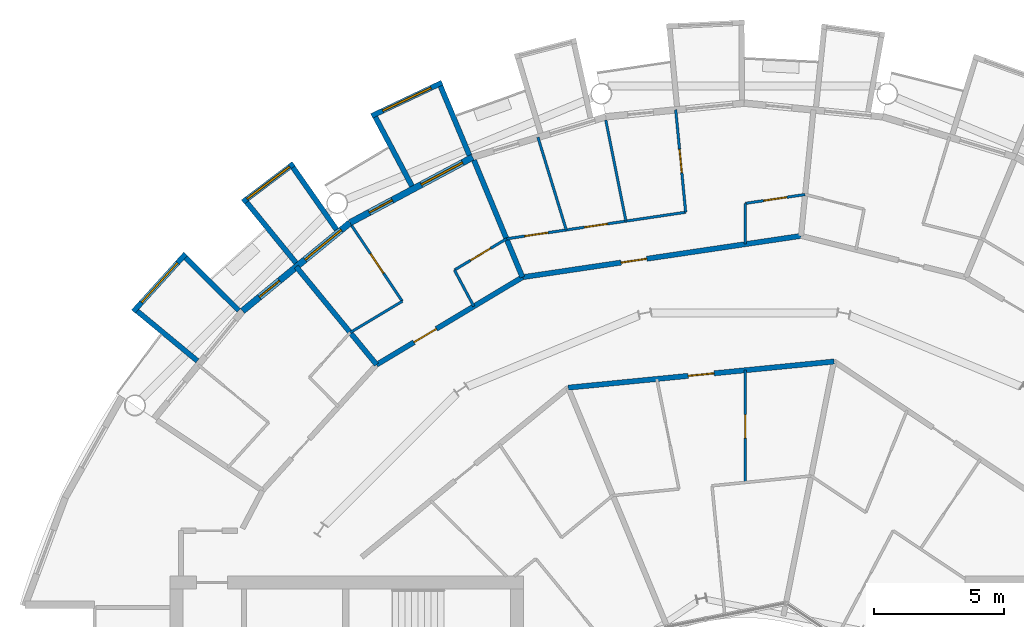
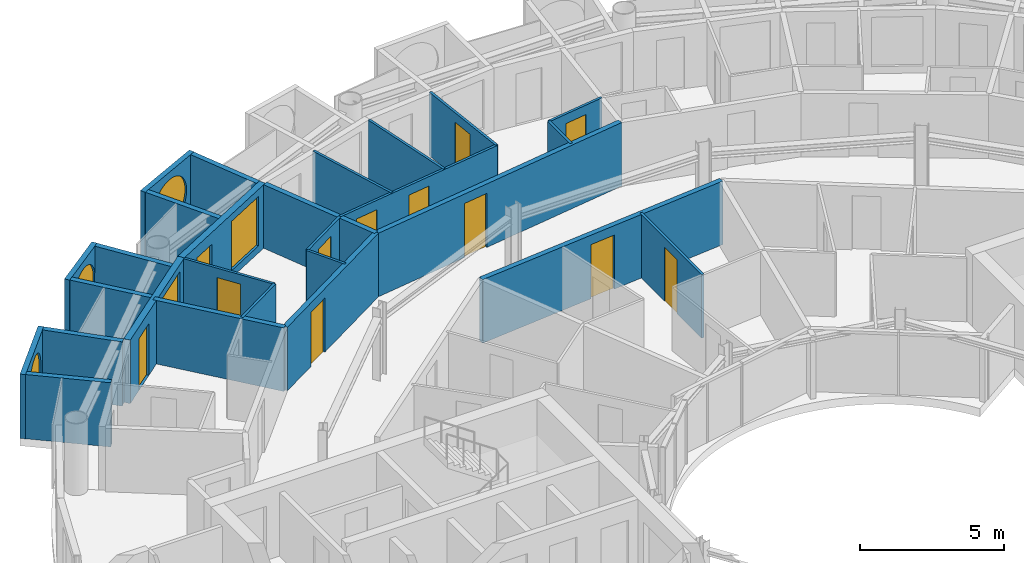
# One storey, part 20 of 27: 27 walls, 12 doors, 5 windows, 17 openings.
"""IFC4 building model written with IfcOpenShell, lengths in metres."""

import ifcopenshell
import ifcopenshell.guid

model = None  # the IFC model being written
_history = None  # IfcOwnerHistory: only IFC2X3 demands one
_inside = {}  # id of a spatial element -> (the spatial element, [elements in it])
_under = {}  # id of a project, library or spatial element -> (it, [spatial elements below it])
_declared = {}  # id of a project -> (the project, [libraries it declares])
_typed = {}  # id of a type object -> (the type object, [elements of that type])
_made_of = {}  # id of a material, layer set ... -> (it, [elements and type objects made of it])


def new_model(schema):
    """Start an empty IFC model of exactly this schema.

    Asked for "IFC4X3", IfcOpenShell would pick the latest addendum, in which some entities
    have other attributes; the version numbers below select the first issue.
    IFC2X3 requires an IfcOwnerHistory on every rooted entity: one is made here for all.
    """
    global model, _history
    if schema == "IFC4X3":
        model = ifcopenshell.file(schema_version=(4, 3, 0, 0))
    else:
        model = ifcopenshell.file(schema=schema)
    _inside.clear()
    _under.clear()
    _declared.clear()
    _typed.clear()
    _made_of.clear()
    _history = None
    if model.schema == "IFC2X3":
        org = make("IfcOrganization", Name="unknown")
        user = make(
            "IfcPersonAndOrganization",
            ThePerson=make("IfcPerson", FamilyName="unknown"),
            TheOrganization=org,
        )
        app = make(
            "IfcApplication",
            ApplicationDeveloper=org,
            Version="unknown",
            ApplicationFullName="unknown",
            ApplicationIdentifier="unknown",
        )
        _history = make(
            "IfcOwnerHistory",
            OwningUser=user,
            OwningApplication=app,
            ChangeAction="ADDED",
            CreationDate=0,
        )
    return model


def make(cls, **values):
    """One entity of the class cls with the attributes given. An attribute that is None is left unset."""
    return model.create_entity(
        cls, **{name: value for name, value in values.items() if value is not None}
    )


def rooted(cls, **values):
    """An entity with a GlobalId (a new one), such as an element, a storey or a relation."""
    return make(cls, GlobalId=ifcopenshell.guid.new(), OwnerHistory=_history, **values)


def si_unit(unit_type, name, prefix=None):
    """IfcSIUnit, for example si_unit("LENGTHUNIT", "METRE", prefix="MILLI")."""
    return make("IfcSIUnit", UnitType=unit_type, Prefix=prefix, Name=name)


def assignment(units):
    """IfcUnitAssignment: the units of a project."""
    return None if units is None else make("IfcUnitAssignment", Units=units)


def point(xyz):
    """IfcCartesianPoint."""
    return None if xyz is None else make("IfcCartesianPoint", Coordinates=xyz)


def direction(xyz):
    """IfcDirection."""
    return None if xyz is None else make("IfcDirection", DirectionRatios=xyz)


def frame(location, z_axis=None, x_axis=None):
    """IfcAxis2Placement3D, a coordinate frame: its origin and axes. An axis left out is left unset."""
    return make(
        "IfcAxis2Placement3D",
        Location=point(location),
        Axis=direction(z_axis),
        RefDirection=direction(x_axis),
    )


def frame_2d(location, x_axis=None):
    """IfcAxis2Placement2D, a coordinate frame in the plane: its origin and x axis."""
    return make(
        "IfcAxis2Placement2D", Location=point(location), RefDirection=direction(x_axis)
    )


def origin():
    """The frame at (0, 0, 0) with its axes left unset."""
    return frame((0.0, 0.0, 0.0))


def place(relative_to, where):
    """IfcLocalPlacement: puts the frame where relative to a parent placement (None: the world)."""
    return make(
        "IfcLocalPlacement", PlacementRelTo=relative_to, RelativePlacement=where
    )


def context(
    kind, dimensions, precision=None, world=None, true_north=None, identifier=None
):
    """IfcGeometricRepresentationContext, for example the 3D "Model" context."""
    return make(
        "IfcGeometricRepresentationContext",
        ContextIdentifier=identifier,
        ContextType=kind,
        CoordinateSpaceDimension=dimensions,
        Precision=precision,
        WorldCoordinateSystem=world,
        TrueNorth=true_north,
    )


def subcontext(parent, identifier, kind, view, scale=None):
    """IfcGeometricRepresentationSubContext, for example "Body" below "Model"."""
    return make(
        "IfcGeometricRepresentationSubContext",
        ContextIdentifier=identifier,
        ContextType=kind,
        ParentContext=parent,
        TargetScale=scale,
        TargetView=view,
    )


def project(units=None, contexts=None):
    """IfcProject with its units and contexts."""
    return rooted(
        "IfcProject",
        Name="project",
        RepresentationContexts=contexts,
        UnitsInContext=assignment(units),
    )


def spatial(cls, under=None, at=None, **own):
    """A site, building, storey or space (cls), placed at a placement, below another one or the project."""
    s = rooted(cls, ObjectPlacement=at, **own)
    if under is not None:
        _under.setdefault(under.id(), (under, []))[1].append(s)
    return s


def profile(cls, at=None, kind="AREA", **sizes):
    """A parametric profile (cls). Its sizes go by their IFC names, for example OverallWidth=200.0."""
    return make(cls, ProfileType=kind, Position=at, **sizes)


def rectangle(**sizes):
    """IfcRectangleProfileDef."""
    return profile("IfcRectangleProfileDef", **sizes)


def circle(**sizes):
    """IfcCircleProfileDef."""
    return profile("IfcCircleProfileDef", **sizes)


def extrude(swept, where, along, depth):
    """IfcExtrudedAreaSolid: the profile swept, set in the frame where, extruded along a direction by depth."""
    return make(
        "IfcExtrudedAreaSolid",
        SweptArea=swept,
        Position=where,
        ExtrudedDirection=direction(along),
        Depth=depth,
    )


def shape(context_of_items, identifier, shape_type, items):
    """IfcShapeRepresentation: the items that make up one representation, for example the "Body"."""
    return make(
        "IfcShapeRepresentation",
        ContextOfItems=context_of_items,
        RepresentationIdentifier=identifier,
        RepresentationType=shape_type,
        Items=items,
    )


def material(Name=None, Category=None):
    """IfcMaterial."""
    return make("IfcMaterial", Name=Name, Category=Category)


def layer(
    of_material, thickness, ventilated=None, Name=None, Category=None, Priority=None
):
    """IfcMaterialLayer: one layer of a wall or slab, of a material (None: an air gap)."""
    return make(
        "IfcMaterialLayer",
        Material=of_material,
        LayerThickness=thickness,
        IsVentilated=ventilated,
        Name=Name,
        Category=Category,
        Priority=Priority,
    )


def layer_set(layers, Name=None):
    """IfcMaterialLayerSet."""
    return make("IfcMaterialLayerSet", MaterialLayers=layers, LayerSetName=Name)


def made_of(thing, what):
    """Note that an element or type object is made of a material, layer set ...; save() writes the relation."""
    if what is not None:
        _made_of.setdefault(what.id(), (what, []))[1].append(thing)
    return thing


def type_object(cls, material=None, **own):
    """A type object (cls), such as IfcWallType, which elements share."""
    return made_of(rooted(cls, **own), material)


def element(
    cls,
    number,
    at=None,
    inside=None,
    cuts=None,
    type_object=None,
    material=None,
    context=None,
    identifier="Body",
    shape_type=None,
    held_by="IfcProductDefinitionShape",
    body=None,
    shapes=None,
    **own,
):
    """One element of the class cls, such as IfcWall. Its Tag is "e" and its number.

    at: its placement. inside: the storey or other place that contains it. cuts: it is an
    opening in that element (IfcRelVoidsElement). A single representation is given by context,
    identifier, shape_type and body (its items); several are given by shapes. held_by: the class
    of the entity that holds the representations. save() writes the other relations.
    """
    e = rooted(cls, Tag="e%d" % number, ObjectPlacement=at, **own)
    if body is not None:
        shapes = [shape(context, identifier, shape_type, body)]
    if shapes is not None:
        e.Representation = make(held_by, Representations=shapes)
    if inside is not None:
        _inside.setdefault(inside.id(), (inside, []))[1].append(e)
    if cuts is not None:
        rooted(
            "IfcRelVoidsElement", RelatingBuildingElement=cuts, RelatedOpeningElement=e
        )
    if type_object is not None:
        _typed.setdefault(type_object.id(), (type_object, []))[1].append(e)
    return made_of(e, material)


def fill(opening, filler):
    """IfcRelFillsElement: the door or window that sits in an opening."""
    return rooted(
        "IfcRelFillsElement",
        RelatingOpeningElement=opening,
        RelatedBuildingElement=filler,
    )


def aggregate(whole, parts):
    """IfcRelAggregates: a whole, such as a stair, and the parts it consists of."""
    return rooted("IfcRelAggregates", RelatingObject=whole, RelatedObjects=parts)


def save(model, path):
    """Write the relations noted so far, then the file.

    IfcRelAggregates (storeys below a building ...), IfcRelContainedInSpatialStructure (elements
    in a storey), IfcRelDefinesByType, IfcRelAssociatesMaterial and IfcRelDeclares: one each for
    every whole, place, type object, material and project.
    """
    for whole, parts in _under.values():
        aggregate(whole, parts)
    for where, things in _inside.values():
        rooted(
            "IfcRelContainedInSpatialStructure",
            RelatedElements=things,
            RelatingStructure=where,
        )
    for kind, things in _typed.values():
        rooted("IfcRelDefinesByType", RelatedObjects=things, RelatingType=kind)
    for what, things in _made_of.values():
        rooted("IfcRelAssociatesMaterial", RelatedObjects=things, RelatingMaterial=what)
    for by, libraries in _declared.values():
        rooted("IfcRelDeclares", RelatingContext=by, RelatedDefinitions=libraries)
    model.write(path)


model = new_model("IFC4")

# Units and contexts
model_context = context("Model", 3, precision=1e-05, world=origin(), true_north=direction((0.0, 1.0)))
body_context = subcontext(model_context, "Body", "Model", "MODEL_VIEW")
ifc_project = project(units=[si_unit("LENGTHUNIT", "METRE"), si_unit("AREAUNIT", "SQUARE_METRE"), si_unit("VOLUMEUNIT", "CUBIC_METRE"), si_unit("PLANEANGLEUNIT", "RADIAN"), si_unit("MASSUNIT", "GRAM", prefix="KILO")], contexts=[model_context])

# Site, building, storey
site_placement = place(None, origin())
site = spatial("IfcSite", under=ifc_project, at=site_placement, CompositionType="ELEMENT")
building_placement = place(site_placement, origin())
building = spatial("IfcBuilding", under=site, at=building_placement, Name="Maasbend Ring Residences", CompositionType="ELEMENT")
storey_placement = place(building_placement, frame((0.0, 0.0, 148.25)))
storey = spatial("IfcBuildingStorey", under=building, at=storey_placement, Name="L42", CompositionType="ELEMENT", Elevation=148.25)

# Wall, opening, door
ifc_material_1 = material(Name="Concrete C30/37", Category="concrete")
ifc_layer_1 = layer(ifc_material_1, 0.199951171875)
ifc_layer_set_1 = layer_set([ifc_layer_1], Name="Concrete C30/37")
wall_type_1 = type_object("IfcWallType", Name="CORRIDOR WALL 200 CONCRETE", PredefinedType="PARTITIONING", material=ifc_layer_set_1)
wall_1_placement = place(storey_placement, frame((-6.77294921875, 16.35302734375, 0.0), z_axis=(0.0, 0.0, 1.0), x_axis=(0.995201809366, 0.097843541607, 0.0)))
wall_1 = element("IfcWall", 1, at=wall_1_placement, inside=storey, type_object=wall_type_1, Name="U-L42-w096", PredefinedType="PARTITIONING", context=body_context, shape_type="SweptSolid", body=[
    extrude(rectangle(XDim=10.2802734375, YDim=0.199951171875, at=frame_2d((5.14013671875, 0.0))), origin(), (0.0, 0.0, 1.0), 2.699951171875),
])
opening_1_placement = place(wall_1_placement, frame((4.637939453125, 0.0, 0.0)))
opening_1 = element("IfcOpeningElement", 2, at=opening_1_placement, cuts=wall_1, Name="Opening D-4225", PredefinedType="OPENING", context=body_context, shape_type="SweptSolid", body=[
    extrude(rectangle(XDim=1.0, YDim=2.300048828125, at=frame_2d((0.5, 1.14990234375))), frame((0.0, 0.10986328125, 0.0), z_axis=(0.0, -1.0, 0.0), x_axis=(1.0, 0.0, 0.0)), (0.0, 0.0, 1.0), 0.219970703125),
])
ifc_material_2 = material(Name="Timber, fire-rated, painted", Category="wood")
door_type_1 = type_object("IfcDoorType", Name="FLAT ENTRANCE DOOR 1000 X 2300 FIRE-RATED", OperationType="NOTDEFINED", PredefinedType="DOOR", material=ifc_material_2)
door_1_placement = place(opening_1_placement, origin())
door_1 = element("IfcDoor", 3, at=door_1_placement, inside=storey, type_object=door_type_1, Name="D-4225", OperationType="SINGLE_SWING_LEFT", OverallHeight=2.300048828125, OverallWidth=1.0, PredefinedType="DOOR", context=body_context, shape_type="SweptSolid", body=[
    extrude(rectangle(XDim=1.0, YDim=2.300048828125, at=frame_2d((0.5, 1.14990234375))), frame((0.0, 0.02490234375, 0.0), z_axis=(0.0, -1.0, 0.0), x_axis=(1.0, 0.0, 0.0)), (0.0, 0.0, 1.0), 0.050048828125),
])
fill(opening_1, door_1)

wall_2_placement = place(storey_placement, frame((-8.533935546875, 20.60302734375, 0.0), z_axis=(0.0, 0.0, 1.0), x_axis=(0.989177441421, 0.146724194948, 0.0)))
wall_2 = element("IfcWall", 4, at=wall_2_placement, inside=storey, type_object=wall_type_1, Name="U-L42-w097", PredefinedType="PARTITIONING", context=body_context, shape_type="SweptSolid", body=[
    extrude(rectangle(XDim=10.837158203125, YDim=0.199951171875, at=frame_2d((5.41845703125, 0.0))), origin(), (0.0, 0.0, 1.0), 2.699951171875),
])
opening_2_placement = place(wall_2_placement, frame((3.8349609375, 0.0, 0.0)))
opening_2 = element("IfcOpeningElement", 5, at=opening_2_placement, cuts=wall_2, Name="Opening D-4210", PredefinedType="OPENING", context=body_context, shape_type="SweptSolid", body=[
    extrude(rectangle(XDim=1.0, YDim=2.300048828125, at=frame_2d((0.5, 1.14990234375))), frame((0.0, 0.10986328125, 0.0), z_axis=(0.0, -1.0, 0.0), x_axis=(1.0, 0.0, 0.0)), (0.0, 0.0, 1.0), 0.219970703125),
])
door_2_placement = place(opening_2_placement, origin())
door_2 = element("IfcDoor", 6, at=door_2_placement, inside=storey, type_object=door_type_1, Name="D-4210", OperationType="SINGLE_SWING_LEFT", OverallHeight=2.300048828125, OverallWidth=1.0, PredefinedType="DOOR", context=body_context, shape_type="SweptSolid", body=[
    extrude(rectangle(XDim=1.0, YDim=2.300048828125, at=frame_2d((0.5, 1.14990234375))), frame((0.0, 0.02490234375, 0.0), z_axis=(0.0, -1.0, 0.0), x_axis=(1.0, 0.0, 0.0)), (0.0, 0.0, 1.0), 0.050048828125),
])
fill(opening_2, door_2)

wall_3_placement = place(storey_placement, frame((-14.14990234375, 17.235107421875, 0.0), z_axis=(0.0, 0.0, 1.0), x_axis=(0.857604752351, 0.514309331769, 0.0)))
wall_3 = element("IfcWall", 7, at=wall_3_placement, inside=storey, type_object=wall_type_1, Name="U-L42-w101", PredefinedType="PARTITIONING", context=body_context, shape_type="SweptSolid", body=[
    extrude(rectangle(XDim=6.54833984375, YDim=0.199951171875, at=frame_2d((3.274169921875, 0.0))), origin(), (0.0, 0.0, 1.0), 2.699951171875),
])
opening_3_placement = place(wall_3_placement, frame((1.68505859375, 0.0, 0.0)))
opening_3 = element("IfcOpeningElement", 8, at=opening_3_placement, cuts=wall_3, Name="Opening D-4215", PredefinedType="OPENING", context=body_context, shape_type="SweptSolid", body=[
    extrude(rectangle(XDim=1.0, YDim=2.300048828125, at=frame_2d((0.5, 1.14990234375))), frame((0.0, 0.10986328125, 0.0), z_axis=(0.0, -1.0, 0.0), x_axis=(1.0, 0.0, 0.0)), (0.0, 0.0, 1.0), 0.219970703125),
])
door_3_placement = place(opening_3_placement, origin())
door_3 = element("IfcDoor", 9, at=door_3_placement, inside=storey, type_object=door_type_1, Name="D-4215", OperationType="SINGLE_SWING_LEFT", OverallHeight=2.300048828125, OverallWidth=1.0, PredefinedType="DOOR", context=body_context, shape_type="SweptSolid", body=[
    extrude(rectangle(XDim=1.0, YDim=2.300048828125, at=frame_2d((0.5, 1.14990234375))), frame((0.0, 0.02490234375, 0.0), z_axis=(0.0, -1.0, 0.0), x_axis=(1.0, 0.0, 0.0)), (0.0, 0.0, 1.0), 0.050048828125),
])
fill(opening_3, door_3)

# Wall, opening, window
ifc_material_3 = material(Name="Pale anodised aluminium panel", Category="aluminium")
ifc_layer_2 = layer(ifc_material_3, 0.199951171875)
ifc_layer_set_2 = layer_set([ifc_layer_2], Name="EW-BOX")
wall_type_2 = type_object("IfcWallType", Name="EW-BOX", PredefinedType="SOLIDWALL", material=ifc_layer_set_2)
wall_4_placement = place(storey_placement, frame((-11.62890625, 28.087890625, -0.030029296875), z_axis=(0.0, 0.0, 1.0), x_axis=(-0.904000060331, -0.427532327342, 0.0)))
wall_4 = element("IfcWall", 10, at=wall_4_placement, inside=storey, type_object=wall_type_2, Name="Box front N15", PredefinedType="SOLIDWALL", context=body_context, shape_type="SweptSolid", body=[
    extrude(rectangle(XDim=2.993408203125, YDim=0.199951171875, at=frame_2d((1.49658203125, 0.0))), origin(), (0.0, 0.0, 1.0), 2.72998046875),
])
opening_4_placement = place(wall_4_placement, frame((0.45654296875, 0.0, 0.330078125)))
opening_4 = element("IfcOpeningElement", 11, at=opening_4_placement, cuts=wall_4, Name="Opening W-RD", PredefinedType="OPENING", context=body_context, shape_type="SweptSolid", body=[
    extrude(circle(Radius=1.0400390625, at=frame_2d((1.0400390625, 1.0400390625))), frame((0.0, 0.10986328125, 0.0), z_axis=(0.0, -1.0, 0.0), x_axis=(1.0, 0.0, 0.0)), (0.0, 0.0, 1.0), 0.219970703125),
])
ifc_material_4 = material(Name="Aluminium and clear glass", Category="aluminium")
window_type_1 = type_object("IfcWindowType", Name="W-RD", PartitioningType="SINGLE_PANEL", PredefinedType="WINDOW", material=ifc_material_4)
window_1_placement = place(opening_4_placement, origin())
window_1 = element("IfcWindow", 12, at=window_1_placement, inside=storey, type_object=window_type_1, Name="Round window N15", OverallHeight=2.080078125, OverallWidth=2.080078125, PartitioningType="SINGLE_PANEL", PredefinedType="WINDOW", context=body_context, shape_type="SweptSolid", body=[
    extrude(circle(Radius=1.0400390625, at=frame_2d((1.0400390625, 1.0400390625))), frame((0.0, 0.030029296875, 0.0), z_axis=(0.0, -1.0, 0.0), x_axis=(1.0, 0.0, 0.0)), (0.0, 0.0, 1.0), 0.06005859375),
])
fill(opening_4, window_1)

# Walls
wall_5_placement = place(storey_placement, frame((-10.574951171875, 25.294921875, -0.030029296875), z_axis=(0.0, 0.0, 1.0), x_axis=(-0.385697364644, 0.922625353492, 0.0)))
element("IfcWall", 13, at=wall_5_placement, inside=storey, type_object=wall_type_2, Name="Box side wall N15 left", PredefinedType="SOLIDWALL", context=body_context, shape_type="SweptSolid", body=[
    extrude(rectangle(XDim=2.88330078125, YDim=0.199951171875, at=frame_2d((1.441650390625, 0.0))), origin(), (0.0, 0.0, 1.0), 2.72998046875),
])
wall_6_placement = place(storey_placement, frame((-12.787109375, 24.113037109375, -0.030029296875), z_axis=(0.0, 0.0, 1.0), x_axis=(-0.468365282436, 0.883534924159, 0.0)))
element("IfcWall", 14, at=wall_6_placement, inside=storey, type_object=wall_type_2, Name="Box side wall N15 right", PredefinedType="SOLIDWALL", context=body_context, shape_type="SweptSolid", body=[
    extrude(rectangle(XDim=3.006103515625, YDim=0.199951171875, at=frame_2d((1.5029296875, 0.0))), origin(), (0.0, 0.0, 1.0), 2.72998046875),
])

# Wall, opening, window
wall_7_placement = place(storey_placement, frame((-17.3369140625, 24.971923828125, -0.030029296875), z_axis=(0.0, 0.0, 1.0), x_axis=(-0.797887588059, -0.602806268067, 0.0)))
wall_7 = element("IfcWall", 15, at=wall_7_placement, inside=storey, type_object=wall_type_2, Name="Box front N17", PredefinedType="SOLIDWALL", context=body_context, shape_type="SweptSolid", body=[
    extrude(rectangle(XDim=2.446533203125, YDim=0.199951171875, at=frame_2d((1.22314453125, 0.0))), origin(), (0.0, 0.0, 1.0), 2.72998046875),
])
opening_5_placement = place(wall_7_placement, frame((0.182861328125, 0.0, 0.330078125)))
opening_5 = element("IfcOpeningElement", 16, at=opening_5_placement, cuts=wall_7, Name="Opening W-RD", PredefinedType="OPENING", context=body_context, shape_type="SweptSolid", body=[
    extrude(circle(Radius=1.0400390625, at=frame_2d((1.0400390625, 1.0400390625))), frame((0.0, 0.10986328125, 0.0), z_axis=(0.0, -1.0, 0.0), x_axis=(1.0, 0.0, 0.0)), (0.0, 0.0, 1.0), 0.219970703125),
])
window_2_placement = place(opening_5_placement, origin())
window_2 = element("IfcWindow", 17, at=window_2_placement, inside=storey, type_object=window_type_1, Name="Round window N17", OverallHeight=2.080078125, OverallWidth=2.080078125, PartitioningType="SINGLE_PANEL", PredefinedType="WINDOW", context=body_context, shape_type="SweptSolid", body=[
    extrude(circle(Radius=1.0400390625, at=frame_2d((1.0400390625, 1.0400390625))), frame((0.0, 0.030029296875, 0.0), z_axis=(0.0, -1.0, 0.0), x_axis=(1.0, 0.0, 0.0)), (0.0, 0.0, 1.0), 0.06005859375),
])
fill(opening_5, window_2)

# Walls
wall_8_placement = place(storey_placement, frame((-15.68798828125, 22.43310546875, -0.030029296875), z_axis=(0.0, 0.0, 1.0), x_axis=(-0.573260687834, 0.819373043115, 0.0)))
element("IfcWall", 18, at=wall_8_placement, inside=storey, type_object=wall_type_2, Name="Box side wall N17 left", PredefinedType="SOLIDWALL", context=body_context, shape_type="SweptSolid", body=[
    extrude(rectangle(XDim=2.92529296875, YDim=0.199951171875, at=frame_2d((1.462646484375, 0.0))), origin(), (0.0, 0.0, 1.0), 2.72998046875),
])
wall_9_placement = place(storey_placement, frame((-17.24609375, 21.155029296875, -0.030029296875), z_axis=(0.0, 0.0, 1.0), x_axis=(-0.631741648902, 0.775179004516, 0.0)))
element("IfcWall", 19, at=wall_9_placement, inside=storey, type_object=wall_type_2, Name="Box side wall N17 right", PredefinedType="SOLIDWALL", context=body_context, shape_type="SweptSolid", body=[
    extrude(rectangle(XDim=3.005859375, YDim=0.199951171875, at=frame_2d((1.5029296875, 0.0))), origin(), (0.0, 0.0, 1.0), 2.72998046875),
])

# Wall, opening, window
wall_10_placement = place(storey_placement, frame((-21.492919921875, 21.5, -0.030029296875), z_axis=(0.0, 0.0, 1.0), x_axis=(-0.671506829416, -0.740998365753, 0.0)))
wall_10 = element("IfcWall", 20, at=wall_10_placement, inside=storey, type_object=wall_type_2, Name="Box front N19", PredefinedType="SOLIDWALL", context=body_context, shape_type="SweptSolid", body=[
    extrude(rectangle(XDim=2.9931640625, YDim=0.199951171875, at=frame_2d((1.49658203125, 0.0))), origin(), (0.0, 0.0, 1.0), 2.72998046875),
])
opening_6_placement = place(wall_10_placement, frame((0.45654296875, 0.0, 0.330078125)))
opening_6 = element("IfcOpeningElement", 21, at=opening_6_placement, cuts=wall_10, Name="Opening W-RD", PredefinedType="OPENING", context=body_context, shape_type="SweptSolid", body=[
    extrude(circle(Radius=1.0400390625, at=frame_2d((1.0400390625, 1.0400390625))), frame((0.0, 0.10986328125, 0.0), z_axis=(0.0, -1.0, 0.0), x_axis=(1.0, 0.0, 0.0)), (0.0, 0.0, 1.0), 0.219970703125),
])
window_3_placement = place(opening_6_placement, origin())
window_3 = element("IfcWindow", 22, at=window_3_placement, inside=storey, type_object=window_type_1, Name="Round window N19", OverallHeight=2.080078125, OverallWidth=2.080078125, PartitioningType="SINGLE_PANEL", PredefinedType="WINDOW", context=body_context, shape_type="SweptSolid", body=[
    extrude(circle(Radius=1.0400390625, at=frame_2d((1.0400390625, 1.0400390625))), frame((0.0, 0.030029296875, 0.0), z_axis=(0.0, -1.0, 0.0), x_axis=(1.0, 0.0, 0.0)), (0.0, 0.0, 1.0), 0.06005859375),
])
fill(opening_6, window_3)

# Walls
wall_11_placement = place(storey_placement, frame((-19.449951171875, 19.322998046875, -0.030029296875), z_axis=(0.0, 0.0, 1.0), x_axis=(-0.709727076896, 0.704476739375, 0.0)))
element("IfcWall", 23, at=wall_11_placement, inside=storey, type_object=wall_type_2, Name="Box side wall N19 left", PredefinedType="SOLIDWALL", context=body_context, shape_type="SweptSolid", body=[
    extrude(rectangle(XDim=2.883056640625, YDim=0.199951171875, at=frame_2d((1.44140625, 0.0))), origin(), (0.0, 0.0, 1.0), 2.72998046875),
])
wall_12_placement = place(storey_placement, frame((-21.041015625, 17.384033203125, -0.030029296875), z_axis=(0.0, 0.0, 1.0), x_axis=(-0.770784861449, 0.63709551667, 0.0)))
element("IfcWall", 24, at=wall_12_placement, inside=storey, type_object=wall_type_2, Name="Box side wall N19 right", PredefinedType="SOLIDWALL", context=body_context, shape_type="SweptSolid", body=[
    extrude(rectangle(XDim=3.005859375, YDim=0.199951171875, at=frame_2d((1.5029296875, 0.0))), origin(), (0.0, 0.0, 1.0), 2.72998046875),
])

# Wall, openings, door, window
ifc_material_5 = material(Name="Aluminium clad insulated panel", Category="aluminium")
ifc_layer_3 = layer(ifc_material_5, 0.25)
ifc_layer_set_3 = layer_set([ifc_layer_3], Name="EW-GL")
wall_type_3 = type_object("IfcWallType", Name="EW-GL", PredefinedType="SOLIDWALL", material=ifc_layer_set_3)
wall_13_placement = place(storey_placement, frame((-10.447021484375, 25.221923828125, 0.0), z_axis=(0.0, 0.0, 1.0), x_axis=(-0.881915646801, -0.471407246368, 0.0)))
wall_13 = element("IfcWall", 25, at=wall_13_placement, inside=storey, type_object=wall_type_3, Name="External wall N08", PredefinedType="SOLIDWALL", context=body_context, shape_type="SweptSolid", body=[
    extrude(rectangle(XDim=5.35205078125, YDim=0.25, at=frame_2d((2.676025390625, 0.0))), origin(), (0.0, 0.0, 1.0), 2.699951171875),
])
opening_7_placement = place(wall_13_placement, frame((0.441162109375, 0.0, 0.300048828125)))
opening_7 = element("IfcOpeningElement", 26, at=opening_7_placement, cuts=wall_13, Name="Opening W-BX", PredefinedType="OPENING", context=body_context, shape_type="SweptSolid", body=[
    extrude(rectangle(XDim=1.800048828125, YDim=2.10009765625, at=frame_2d((0.89990234375, 1.050048828125))), frame((0.0, 0.135009765625, 0.0), z_axis=(0.0, -1.0, 0.0), x_axis=(1.0, 0.0, 0.0)), (0.0, 0.0, 1.0), 0.27001953125),
])
opening_8_placement = place(wall_13_placement, frame((3.510498046875, 0.0, 0.0)))
opening_8 = element("IfcOpeningElement", 27, at=opening_8_placement, cuts=wall_13, Name="Opening D-LG", PredefinedType="OPENING", context=body_context, shape_type="SweptSolid", body=[
    extrude(rectangle(XDim=1.0, YDim=2.199951171875, at=frame_2d((0.5, 1.10009765625))), frame((0.0, 0.135009765625, 0.0), z_axis=(0.0, -1.0, 0.0), x_axis=(1.0, 0.0, 0.0)), (0.0, 0.0, 1.0), 0.27001953125),
])
ifc_material_6 = material(Name="Aluminium and clear glass", Category="aluminium")
door_type_2 = type_object("IfcDoorType", Name="D-LG", OperationType="SINGLE_SWING_LEFT", PredefinedType="DOOR", material=ifc_material_6)
door_4_placement = place(opening_8_placement, origin())
door_4 = element("IfcDoor", 28, at=door_4_placement, inside=storey, type_object=door_type_2, Name="Loggia door N16", OperationType="SINGLE_SWING_LEFT", OverallHeight=2.199951171875, OverallWidth=1.0, PredefinedType="DOOR", context=body_context, shape_type="SweptSolid", body=[
    extrude(rectangle(XDim=1.0, YDim=2.199951171875, at=frame_2d((0.5, 1.10009765625))), frame((0.0, 0.02490234375, 0.0), z_axis=(0.0, -1.0, 0.0), x_axis=(1.0, 0.0, 0.0)), (0.0, 0.0, 1.0), 0.050048828125),
])
fill(opening_8, door_4)
ifc_material_7 = material(Name="Aluminium and clear glass", Category="aluminium")
window_type_2 = type_object("IfcWindowType", Name="W-BX", PartitioningType="DOUBLE_PANEL_VERTICAL", PredefinedType="WINDOW", material=ifc_material_7)
window_4_placement = place(opening_7_placement, origin())
window_4 = element("IfcWindow", 29, at=window_4_placement, inside=storey, type_object=window_type_2, Name="Window N15 room to box", OverallHeight=2.10009765625, OverallWidth=1.800048828125, PartitioningType="SINGLE_PANEL", PredefinedType="WINDOW", context=body_context, shape_type="SweptSolid", body=[
    extrude(rectangle(XDim=1.800048828125, YDim=2.10009765625, at=frame_2d((0.89990234375, 1.050048828125))), frame((0.0, 0.030029296875, 0.0), z_axis=(0.0, -1.0, 0.0), x_axis=(1.0, 0.0, 0.0)), (0.0, 0.0, 1.0), 0.06005859375),
])
fill(opening_7, window_4)

wall_14_placement = place(storey_placement, frame((-15.1669921875, 22.698974609375, 0.0), z_axis=(0.0, 0.0, 1.0), x_axis=(-0.773019449054, -0.634382322723, 0.0)))
wall_14 = element("IfcWall", 30, at=wall_14_placement, inside=storey, type_object=wall_type_3, Name="External wall N09", PredefinedType="SOLIDWALL", context=body_context, shape_type="SweptSolid", body=[
    extrude(rectangle(XDim=5.351806640625, YDim=0.25, at=frame_2d((2.67578125, 0.0))), origin(), (0.0, 0.0, 1.0), 2.699951171875),
])
opening_9_placement = place(wall_14_placement, frame((0.441162109375, 0.0, 0.300048828125)))
opening_9 = element("IfcOpeningElement", 31, at=opening_9_placement, cuts=wall_14, Name="Opening W-BX", PredefinedType="OPENING", context=body_context, shape_type="SweptSolid", body=[
    extrude(rectangle(XDim=1.800048828125, YDim=2.10009765625, at=frame_2d((0.89990234375, 1.050048828125))), frame((0.0, 0.135009765625, 0.0), z_axis=(0.0, -1.0, 0.0), x_axis=(1.0, 0.0, 0.0)), (0.0, 0.0, 1.0), 0.27001953125),
])
opening_10_placement = place(wall_14_placement, frame((3.510498046875, 0.0, 0.0)))
opening_10 = element("IfcOpeningElement", 32, at=opening_10_placement, cuts=wall_14, Name="Opening D-LG", PredefinedType="OPENING", context=body_context, shape_type="SweptSolid", body=[
    extrude(rectangle(XDim=1.0, YDim=2.199951171875, at=frame_2d((0.5, 1.10009765625))), frame((0.0, 0.135009765625, 0.0), z_axis=(0.0, -1.0, 0.0), x_axis=(1.0, 0.0, 0.0)), (0.0, 0.0, 1.0), 0.27001953125),
])
door_5_placement = place(opening_10_placement, origin())
door_5 = element("IfcDoor", 33, at=door_5_placement, inside=storey, type_object=door_type_2, Name="Loggia door N18", OperationType="SINGLE_SWING_LEFT", OverallHeight=2.199951171875, OverallWidth=1.0, PredefinedType="DOOR", context=body_context, shape_type="SweptSolid", body=[
    extrude(rectangle(XDim=1.0, YDim=2.199951171875, at=frame_2d((0.5, 1.10009765625))), frame((0.0, 0.02490234375, 0.0), z_axis=(0.0, -1.0, 0.0), x_axis=(1.0, 0.0, 0.0)), (0.0, 0.0, 1.0), 0.050048828125),
])
fill(opening_10, door_5)
window_5_placement = place(opening_9_placement, origin())
window_5 = element("IfcWindow", 34, at=window_5_placement, inside=storey, type_object=window_type_2, Name="Window N17 room to box", OverallHeight=2.10009765625, OverallWidth=1.800048828125, PartitioningType="SINGLE_PANEL", PredefinedType="WINDOW", context=body_context, shape_type="SweptSolid", body=[
    extrude(rectangle(XDim=1.800048828125, YDim=2.10009765625, at=frame_2d((0.89990234375, 1.050048828125))), frame((0.0, 0.030029296875, 0.0), z_axis=(0.0, -1.0, 0.0), x_axis=(1.0, 0.0, 0.0)), (0.0, 0.0, 1.0), 0.06005859375),
])
fill(opening_9, window_5)

# Walls
ifc_material_8 = material(Name="Gypsum board on steel studs", Category="steel")
ifc_layer_4 = layer(ifc_material_8, 0.10009765625)
ifc_layer_set_4 = layer_set([ifc_layer_4], Name="PARTITION 100 GYPSUM")
wall_type_4 = type_object("IfcWallType", Name="PARTITION 100 GYPSUM", PredefinedType="PARTITIONING", material=ifc_layer_set_4)
wall_15_placement = place(storey_placement, frame((-11.15087890625, 20.87890625, 0.0), z_axis=(0.0, 0.0, 1.0), x_axis=(0.470724185475, -0.88228042096, 0.0)))
element("IfcWall", 35, at=wall_15_placement, inside=storey, type_object=wall_type_4, Name="U-L42-w027", PredefinedType="PARTITIONING", context=body_context, shape_type="SweptSolid", body=[
    extrude(rectangle(XDim=1.58447265625, YDim=0.10009765625, at=frame_2d((0.792236328125, 0.0))), origin(), (0.0, 0.0, 1.0), 2.699951171875),
])
wall_16_placement = place(storey_placement, frame((-5.326904296875, 26.64794921875, 0.0), z_axis=(0.0, 0.0, 1.0), x_axis=(0.195796227202, -0.980644603011, 0.0)))
element("IfcWall", 36, at=wall_16_placement, inside=storey, type_object=wall_type_4, Name="U-L42-w028", PredefinedType="PARTITIONING", context=body_context, shape_type="SweptSolid", body=[
    extrude(rectangle(XDim=3.962646484375, YDim=0.10009765625, at=frame_2d((1.9814453125, 0.0))), origin(), (0.0, 0.0, 1.0), 2.699951171875),
])

# Wall, opening, door
wall_17_placement = place(storey_placement, frame((-15.10498046875, 22.590087890625, 0.0), z_axis=(0.0, 0.0, 1.0), x_axis=(0.555873265997, -0.831267052246, 0.0)))
wall_17 = element("IfcWall", 37, at=wall_17_placement, inside=storey, type_object=wall_type_4, Name="U-L42-w039", PredefinedType="PARTITIONING", context=body_context, shape_type="SweptSolid", body=[
    extrude(rectangle(XDim=3.50439453125, YDim=0.10009765625, at=frame_2d((1.752197265625, 0.0))), origin(), (0.0, 0.0, 1.0), 2.699951171875),
])
opening_11_placement = place(wall_17_placement, frame((1.302001953125, 0.0, 0.0)))
opening_11 = element("IfcOpeningElement", 38, at=opening_11_placement, cuts=wall_17, Name="Opening D-4217", PredefinedType="OPENING", context=body_context, shape_type="SweptSolid", body=[
    extrude(rectangle(XDim=0.89990234375, YDim=2.300048828125, at=frame_2d((0.449951171875, 1.14990234375))), frame((0.0, 0.06005859375, 0.0), z_axis=(0.0, -1.0, 0.0), x_axis=(1.0, 0.0, 0.0)), (0.0, 0.0, 1.0), 0.1201171875),
])
ifc_material_9 = material(Name="Timber, painted", Category="wood")
door_type_3 = type_object("IfcDoorType", Name="INTERNAL DOOR 900 X 2300", OperationType="NOTDEFINED", PredefinedType="DOOR", material=ifc_material_9)
door_6_placement = place(opening_11_placement, origin())
door_6 = element("IfcDoor", 39, at=door_6_placement, inside=storey, type_object=door_type_3, Name="D-4217", OperationType="SINGLE_SWING_RIGHT", OverallHeight=2.300048828125, OverallWidth=0.89990234375, PredefinedType="DOOR", context=body_context, shape_type="SweptSolid", body=[
    extrude(rectangle(XDim=0.89990234375, YDim=2.300048828125, at=frame_2d((0.449951171875, 1.14990234375))), frame((0.0, 0.02490234375, 0.0), z_axis=(0.0, -1.0, 0.0), x_axis=(1.0, 0.0, 0.0)), (0.0, 0.0, 1.0), 0.050048828125),
])
fill(opening_11, door_6)

# Wall
wall_18_placement = place(storey_placement, frame((-7.93798828125, 25.989990234375, 0.0), z_axis=(0.0, 0.0, 1.0), x_axis=(0.292195259296, -0.956358682945, 0.0)))
element("IfcWall", 40, at=wall_18_placement, inside=storey, type_object=wall_type_4, Name="U-L42-w051", PredefinedType="PARTITIONING", context=body_context, shape_type="SweptSolid", body=[
    extrude(rectangle(XDim=3.730712890625, YDim=0.10009765625, at=frame_2d((1.865234375, 0.0))), origin(), (0.0, 0.0, 1.0), 2.699951171875),
])

# Wall, opening, door
wall_19_placement = place(storey_placement, frame((-2.636962890625, 27.047119140625, 0.0), z_axis=(0.0, 0.0, 1.0), x_axis=(0.096910924258, -0.995293058732, 0.0)))
wall_19 = element("IfcWall", 41, at=wall_19_placement, inside=storey, type_object=wall_type_4, Name="U-L42-w055", PredefinedType="PARTITIONING", context=body_context, shape_type="SweptSolid", body=[
    extrude(rectangle(XDim=3.962646484375, YDim=0.10009765625, at=frame_2d((1.9814453125, 0.0))), origin(), (0.0, 0.0, 1.0), 2.699951171875),
])
opening_12_placement = place(wall_19_placement, frame((1.531005859375, 0.0, 0.0)))
opening_12 = element("IfcOpeningElement", 42, at=opening_12_placement, cuts=wall_19, Name="Opening D-4212", PredefinedType="OPENING", context=body_context, shape_type="SweptSolid", body=[
    extrude(rectangle(XDim=0.89990234375, YDim=2.300048828125, at=frame_2d((0.449951171875, 1.14990234375))), frame((0.0, 0.06005859375, 0.0), z_axis=(0.0, -1.0, 0.0), x_axis=(1.0, 0.0, 0.0)), (0.0, 0.0, 1.0), 0.1201171875),
])
door_7_placement = place(opening_12_placement, origin())
door_7 = element("IfcDoor", 43, at=door_7_placement, inside=storey, type_object=door_type_3, Name="D-4212", OperationType="SINGLE_SWING_RIGHT", OverallHeight=2.300048828125, OverallWidth=0.89990234375, PredefinedType="DOOR", context=body_context, shape_type="SweptSolid", body=[
    extrude(rectangle(XDim=0.89990234375, YDim=2.300048828125, at=frame_2d((0.449951171875, 1.14990234375))), frame((0.0, 0.02490234375, 0.0), z_axis=(0.0, -1.0, 0.0), x_axis=(1.0, 0.0, 0.0)), (0.0, 0.0, 1.0), 0.050048828125),
])
fill(opening_12, door_7)

wall_20_placement = place(storey_placement, frame((0.032958984375, 12.705078125, 0.0), z_axis=(0.0, 0.0, 1.0), x_axis=(0.002543801832, 0.999996764531, 0.0)))
wall_20 = element("IfcWall", 44, at=wall_20_placement, inside=storey, type_object=wall_type_4, Name="U-L42-w057", PredefinedType="PARTITIONING", context=body_context, shape_type="SweptSolid", body=[
    extrude(rectangle(XDim=4.31884765625, YDim=0.10009765625, at=frame_2d((2.159423828125, 0.0))), origin(), (0.0, 0.0, 1.0), 2.699951171875),
])
opening_13_placement = place(wall_20_placement, frame((1.7099609375, 0.0, 0.0)))
opening_13 = element("IfcOpeningElement", 45, at=opening_13_placement, cuts=wall_20, Name="Opening D-4227", PredefinedType="OPENING", context=body_context, shape_type="SweptSolid", body=[
    extrude(rectangle(XDim=0.89990234375, YDim=2.300048828125, at=frame_2d((0.449951171875, 1.14990234375))), frame((0.0, 0.06005859375, 0.0), z_axis=(0.0, -1.0, 0.0), x_axis=(1.0, 0.0, 0.0)), (0.0, 0.0, 1.0), 0.1201171875),
])
door_8_placement = place(opening_13_placement, origin())
door_8 = element("IfcDoor", 46, at=door_8_placement, inside=storey, type_object=door_type_3, Name="D-4227", OperationType="SINGLE_SWING_RIGHT", OverallHeight=2.300048828125, OverallWidth=0.89990234375, PredefinedType="DOOR", context=body_context, shape_type="SweptSolid", body=[
    extrude(rectangle(XDim=0.89990234375, YDim=2.300048828125, at=frame_2d((0.449951171875, 1.14990234375))), frame((0.0, 0.02490234375, 0.0), z_axis=(0.0, -1.0, 0.0), x_axis=(1.0, 0.0, 0.0)), (0.0, 0.0, 1.0), 0.050048828125),
])
fill(opening_13, door_8)

# Wall
wall_21_placement = place(storey_placement, frame((0.0419921875, 21.875, 0.0), z_axis=(0.0, 0.0, 1.0), x_axis=(0.00186711982, 0.99999825693, 0.0)))
element("IfcWall", 47, at=wall_21_placement, inside=storey, type_object=wall_type_4, Name="U-L42-w058", PredefinedType="PARTITIONING", context=body_context, shape_type="SweptSolid", body=[
    extrude(rectangle(XDim=1.569091796875, YDim=0.10009765625, at=frame_2d((0.78466796875, 0.0))), origin(), (0.0, 0.0, 1.0), 2.699951171875),
])

# Wall, openings, doors
wall_22_placement = place(storey_placement, frame((-9.14892578125, 22.080078125, 0.0), z_axis=(0.0, 0.0, 1.0), x_axis=(0.989175993049, 0.146733959176, 0.0)))
wall_22 = element("IfcWall", 48, at=wall_22_placement, inside=storey, type_object=wall_type_4, Name="U-L42-w107", PredefinedType="PARTITIONING", context=body_context, shape_type="SweptSolid", body=[
    extrude(rectangle(XDim=6.971435546875, YDim=0.10009765625, at=frame_2d((3.48583984375, 0.0))), origin(), (0.0, 0.0, 1.0), 2.699951171875),
])
opening_14_placement = place(wall_22_placement, frame((3.033935546875, 0.0, 0.0)))
opening_14 = element("IfcOpeningElement", 49, at=opening_14_placement, cuts=wall_22, Name="Opening D-4213", PredefinedType="OPENING", context=body_context, shape_type="SweptSolid", body=[
    extrude(rectangle(XDim=0.89990234375, YDim=2.300048828125, at=frame_2d((0.449951171875, 1.14990234375))), frame((0.0, 0.06005859375, 0.0), z_axis=(0.0, -1.0, 0.0), x_axis=(1.0, 0.0, 0.0)), (0.0, 0.0, 1.0), 0.1201171875),
])
opening_15_placement = place(wall_22_placement, frame((0.716064453125, 0.0, 0.0)))
opening_15 = element("IfcOpeningElement", 50, at=opening_15_placement, cuts=wall_22, Name="Opening D-4214", PredefinedType="OPENING", context=body_context, shape_type="SweptSolid", body=[
    extrude(rectangle(XDim=0.89990234375, YDim=2.300048828125, at=frame_2d((0.449951171875, 1.14990234375))), frame((0.0, 0.06005859375, 0.0), z_axis=(0.0, -1.0, 0.0), x_axis=(1.0, 0.0, 0.0)), (0.0, 0.0, 1.0), 0.1201171875),
])
door_9_placement = place(opening_14_placement, origin())
door_9 = element("IfcDoor", 51, at=door_9_placement, inside=storey, type_object=door_type_3, Name="D-4213", OperationType="SINGLE_SWING_LEFT", OverallHeight=2.300048828125, OverallWidth=0.89990234375, PredefinedType="DOOR", context=body_context, shape_type="SweptSolid", body=[
    extrude(rectangle(XDim=0.89990234375, YDim=2.300048828125, at=frame_2d((0.449951171875, 1.14990234375))), frame((0.0, 0.02490234375, 0.0), z_axis=(0.0, -1.0, 0.0), x_axis=(1.0, 0.0, 0.0)), (0.0, 0.0, 1.0), 0.050048828125),
])
fill(opening_14, door_9)
door_10_placement = place(opening_15_placement, origin())
door_10 = element("IfcDoor", 52, at=door_10_placement, inside=storey, type_object=door_type_3, Name="D-4214", OperationType="SINGLE_SWING_LEFT", OverallHeight=2.300048828125, OverallWidth=0.89990234375, PredefinedType="DOOR", context=body_context, shape_type="SweptSolid", body=[
    extrude(rectangle(XDim=0.89990234375, YDim=2.300048828125, at=frame_2d((0.449951171875, 1.14990234375))), frame((0.0, 0.02490234375, 0.0), z_axis=(0.0, -1.0, 0.0), x_axis=(1.0, 0.0, 0.0)), (0.0, 0.0, 1.0), 0.050048828125),
])
fill(opening_15, door_10)

# Wall, opening, door
wall_23_placement = place(storey_placement, frame((0.044921875, 23.444091796875, 0.0), z_axis=(0.0, 0.0, 1.0), x_axis=(0.989180881673, 0.146700999768, 0.0)))
wall_23 = element("IfcWall", 53, at=wall_23_placement, inside=storey, type_object=wall_type_4, Name="U-L42-w108", PredefinedType="PARTITIONING", context=body_context, shape_type="SweptSolid", body=[
    extrude(rectangle(XDim=2.3232421875, YDim=0.10009765625, at=frame_2d((1.16162109375, 0.0))), origin(), (0.0, 0.0, 1.0), 2.699951171875),
])
opening_16_placement = place(wall_23_placement, frame((0.7119140625, 0.0, 0.0)))
opening_16 = element("IfcOpeningElement", 54, at=opening_16_placement, cuts=wall_23, Name="Opening D-4211", PredefinedType="OPENING", context=body_context, shape_type="SweptSolid", body=[
    extrude(rectangle(XDim=0.89990234375, YDim=2.300048828125, at=frame_2d((0.449951171875, 1.14990234375))), frame((0.0, 0.06005859375, 0.0), z_axis=(0.0, -1.0, 0.0), x_axis=(1.0, 0.0, 0.0)), (0.0, 0.0, 1.0), 0.1201171875),
])
door_11_placement = place(opening_16_placement, origin())
door_11 = element("IfcDoor", 55, at=door_11_placement, inside=storey, type_object=door_type_3, Name="D-4211", OperationType="SINGLE_SWING_LEFT", OverallHeight=2.300048828125, OverallWidth=0.89990234375, PredefinedType="DOOR", context=body_context, shape_type="SweptSolid", body=[
    extrude(rectangle(XDim=0.89990234375, YDim=2.300048828125, at=frame_2d((0.449951171875, 1.14990234375))), frame((0.0, 0.02490234375, 0.0), z_axis=(0.0, -1.0, 0.0), x_axis=(1.0, 0.0, 0.0)), (0.0, 0.0, 1.0), 0.050048828125),
])
fill(opening_16, door_11)

# Wall
wall_24_placement = place(storey_placement, frame((-15.162109375, 18.47509765625, 0.0), z_axis=(0.0, 0.0, 1.0), x_axis=(0.857714000218, 0.514127118358, 0.0)))
element("IfcWall", 56, at=wall_24_placement, inside=storey, type_object=wall_type_4, Name="U-L42-w111", PredefinedType="PARTITIONING", context=body_context, shape_type="SweptSolid", body=[
    extrude(rectangle(XDim=2.337646484375, YDim=0.10009765625, at=frame_2d((1.1689453125, 0.0))), origin(), (0.0, 0.0, 1.0), 2.699951171875),
])

# Wall, opening, door
wall_25_placement = place(storey_placement, frame((-11.15087890625, 20.87890625, 0.0), z_axis=(0.0, 0.0, 1.0), x_axis=(0.857640331606, 0.514249999127, 0.0)))
wall_25 = element("IfcWall", 57, at=wall_25_placement, inside=storey, type_object=wall_type_4, Name="U-L42-w112", PredefinedType="PARTITIONING", context=body_context, shape_type="SweptSolid", body=[
    extrude(rectangle(XDim=2.337646484375, YDim=0.10009765625, at=frame_2d((1.1689453125, 0.0))), origin(), (0.0, 0.0, 1.0), 2.699951171875),
])
opening_17_placement = place(wall_25_placement, frame((0.718994140625, 0.0, 0.0)))
opening_17 = element("IfcOpeningElement", 58, at=opening_17_placement, cuts=wall_25, Name="Opening D-4216", PredefinedType="OPENING", context=body_context, shape_type="SweptSolid", body=[
    extrude(rectangle(XDim=0.89990234375, YDim=2.300048828125, at=frame_2d((0.449951171875, 1.14990234375))), frame((0.0, 0.06005859375, 0.0), z_axis=(0.0, -1.0, 0.0), x_axis=(1.0, 0.0, 0.0)), (0.0, 0.0, 1.0), 0.1201171875),
])
door_12_placement = place(opening_17_placement, origin())
door_12 = element("IfcDoor", 59, at=door_12_placement, inside=storey, type_object=door_type_3, Name="D-4216", OperationType="SINGLE_SWING_RIGHT", OverallHeight=2.300048828125, OverallWidth=0.89990234375, PredefinedType="DOOR", context=body_context, shape_type="SweptSolid", body=[
    extrude(rectangle(XDim=0.89990234375, YDim=2.300048828125, at=frame_2d((0.449951171875, 1.14990234375))), frame((0.0, 0.02490234375, 0.0), z_axis=(0.0, -1.0, 0.0), x_axis=(1.0, 0.0, 0.0)), (0.0, 0.0, 1.0), 0.050048828125),
])
fill(opening_17, door_12)

# Walls
ifc_material_10 = material(Name="Concrete C30/37", Category="concrete")
ifc_layer_5 = layer(ifc_material_10, 0.199951171875)
ifc_layer_set_5 = layer_set([ifc_layer_5], Name="Concrete C30/37")
wall_type_5 = type_object("IfcWallType", Name="PARTY WALL 200 CONCRETE", PredefinedType="PARTITIONING", material=ifc_layer_set_5)
wall_26_placement = place(storey_placement, frame((-17.239990234375, 21.007080078125, 0.0), z_axis=(0.0, 0.0, 1.0), x_axis=(0.634374159378, -0.773026148273, 0.0)))
element("IfcWall", 60, at=wall_26_placement, inside=storey, type_object=wall_type_5, Name="U-L42-w036", PredefinedType="PARTITIONING", context=body_context, shape_type="SweptSolid", body=[
    extrude(rectangle(XDim=4.875732421875, YDim=0.199951171875, at=frame_2d((2.43798828125, 0.0))), origin(), (0.0, 0.0, 1.0), 2.699951171875),
])
wall_27_placement = place(storey_placement, frame((-10.39990234375, 25.10498046875, 0.0), z_axis=(0.0, 0.0, 1.0), x_axis=(0.382722001241, -0.923863555817, 0.0)))
element("IfcWall", 61, at=wall_27_placement, inside=storey, type_object=wall_type_5, Name="U-L42-w045", PredefinedType="PARTITIONING", context=body_context, shape_type="SweptSolid", body=[
    extrude(rectangle(XDim=4.873046875, YDim=0.199951171875, at=frame_2d((2.4365234375, 0.0))), origin(), (0.0, 0.0, 1.0), 2.699951171875),
])

save(model, "model.ifc")
